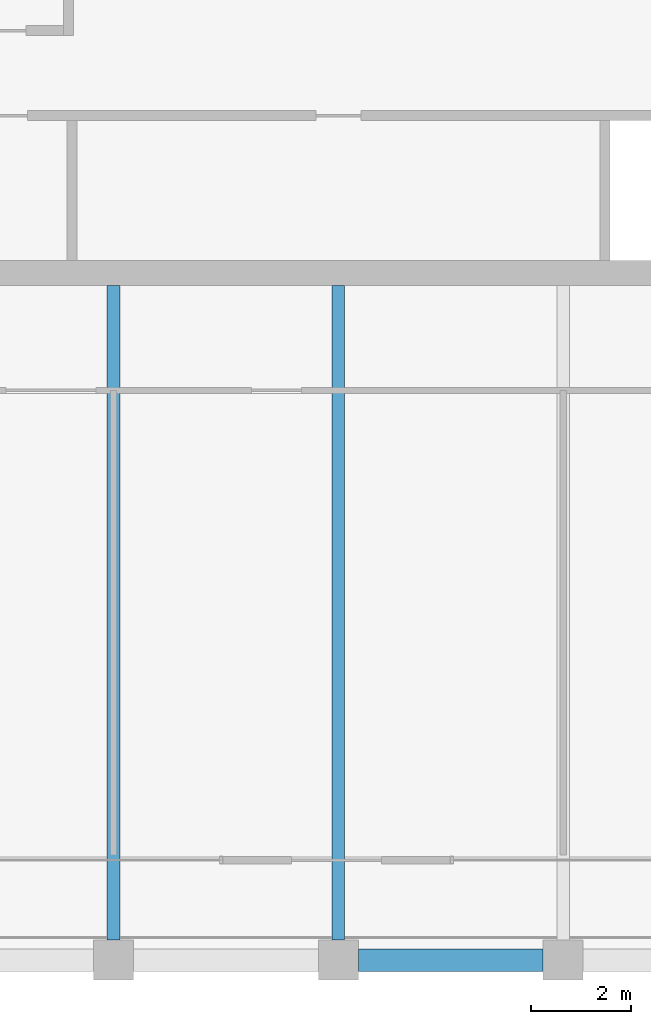
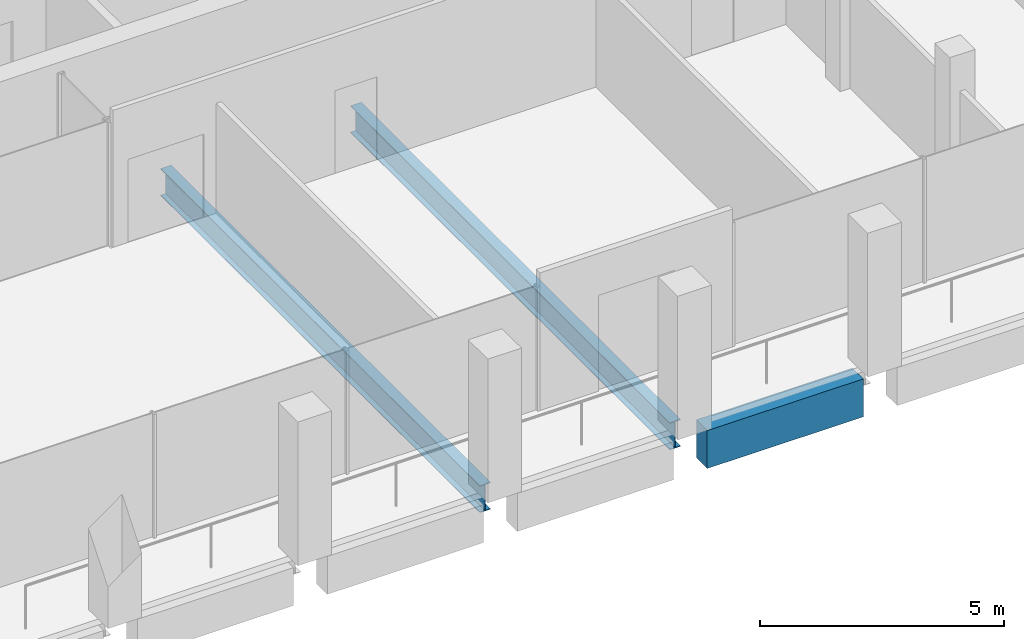
# One storey, part 8 of 30: 3 beams.
"""IFC4 building model written with IfcOpenShell, lengths in metres."""

from ifc_helpers import new_model, si_unit, direction, frame, origin, origin_2d, place, context, subcontext, project, spatial, rectangle, i_section, extrude, material, material_profile, profile_set, type_object, element, save


model = new_model("IFC4")

# Units and contexts
model_context = context("Model", 3, precision=1e-05, world=origin(), true_north=direction((0.0, 1.0)))
body_context = subcontext(model_context, "Body", "Model", "MODEL_VIEW")
ifc_project = project(units=[si_unit("LENGTHUNIT", "METRE"), si_unit("AREAUNIT", "SQUARE_METRE"), si_unit("VOLUMEUNIT", "CUBIC_METRE"), si_unit("PLANEANGLEUNIT", "RADIAN"), si_unit("MASSUNIT", "GRAM", prefix="KILO")], contexts=[model_context])

# Site, building, storey
site_placement = place(None, origin())
site = spatial("IfcSite", under=ifc_project, at=site_placement, CompositionType="ELEMENT")
building_placement = place(site_placement, origin())
building = spatial("IfcBuilding", under=site, at=building_placement, Name="Altepetl Exchange Towers", CompositionType="ELEMENT")
storey_placement = place(building_placement, frame((0.0, 0.0, 224.39990234375)))
storey = spatial("IfcBuildingStorey", under=building, at=storey_placement, Name="L57", CompositionType="ELEMENT", Elevation=224.39990234375)

# Beams
ifc_material_1 = material(Name="Steel S355", Category="steel")
ifc_material_profile_1 = material_profile(ifc_material_1, i_section(OverallWidth=0.2529296875, OverallDepth=0.677978515625, WebThickness=0.01171875, FlangeThickness=0.016357421875, at=origin_2d()), Name="W27X84")
ifc_profile_set_1 = profile_set([ifc_material_profile_1], Name="Steel S355")
beam_type_1 = type_object("IfcBeamType", Name="Floor beam W27X84", PredefinedType="BEAM", material=ifc_profile_set_1)
for number, where, z_axis, x_axis, name in (
    (1, (45.0, 27.39990234375, -0.489013671875), (0.0, 1.0, 0.0), (-1.0, 0.0, 0.0), "bm:A:L57:015"),
    (2, (49.5, 27.39990234375, -0.489013671875), (0.0, 1.0, 0.0), (-1.0, 0.0, 0.0), "bm:A:L57:016"),
):
    element("IfcBeam", number, at=place(storey_placement, frame(where, z_axis=z_axis, x_axis=x_axis)), inside=storey, type_object=beam_type_1, Name=name, PredefinedType="BEAM", context=body_context, shape_type="SweptSolid", body=[
        extrude(i_section(OverallWidth=0.2529296875, OverallDepth=0.677978515625, WebThickness=0.01171875, FlangeThickness=0.016357421875, at=origin_2d()), origin(), (0.0, 0.0, 1.0), 13.10009765625),
    ])
ifc_material_2 = material(Name="Concrete C50/60 precast with cantera blanca facing", Category="concrete")
ifc_material_profile_2 = material_profile(ifc_material_2, rectangle(XDim=0.449951171875, YDim=0.949951171875, at=origin_2d()), Name="450 x 950")
ifc_profile_set_2 = profile_set([ifc_material_profile_2], Name="Concrete C50/60 precast with cantera blanca facing")
beam_type_2 = type_object("IfcBeamType", Name="Spandrel beam 450x950 cantera blanca", PredefinedType="SPANDREL", material=ifc_profile_set_2)
beam_placement = place(storey_placement, frame((49.89990234375, 27.0, -0.625), z_axis=(1.0, 0.0, 0.0), x_axis=(0.0, 1.0, 0.0)))
element("IfcBeam", 3, at=beam_placement, inside=storey, type_object=beam_type_2, Name="sp:A:L57:004", PredefinedType="SPANDREL", context=body_context, shape_type="SweptSolid", body=[
    extrude(rectangle(XDim=0.449951171875, YDim=0.949951171875, at=origin_2d()), origin(), (0.0, 0.0, 1.0), 3.7001953125),
])

save(model, "model.ifc")
